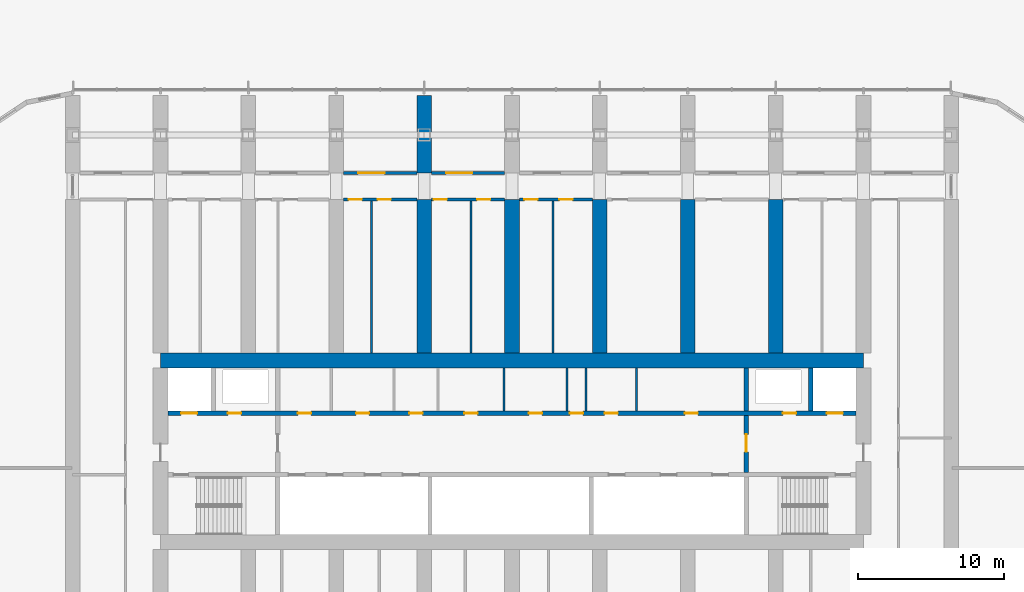
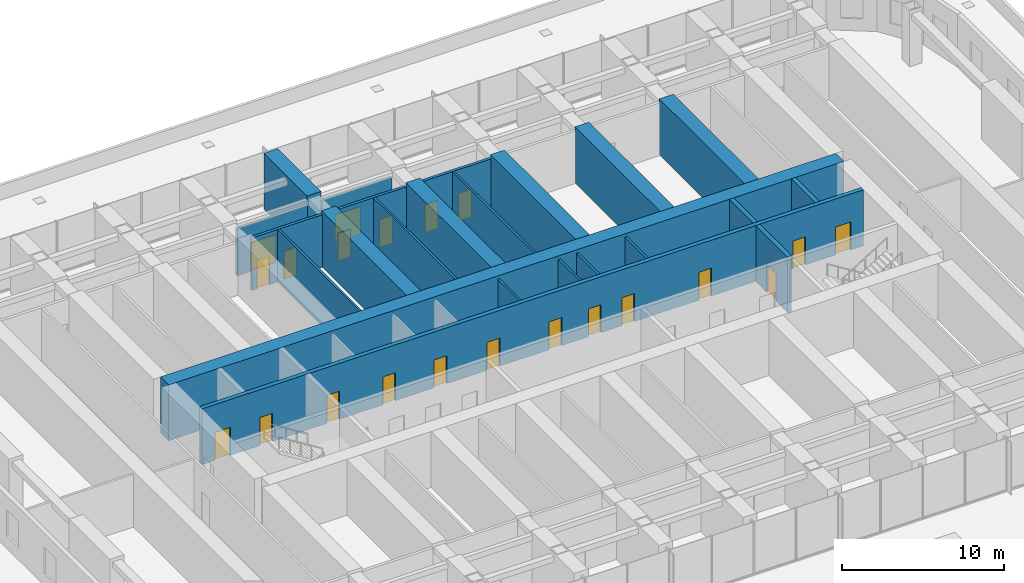
# One storey, part 14 of 23: 23 walls, 21 doors, 21 openings.
"""IFC4 building model written with IfcOpenShell, lengths in metres."""

from ifc_helpers import new_model, si_unit, direction, frame, frame_2d, origin, place, context, subcontext, project, spatial, polyline, rectangle, outline, extrude, material, layer, layer_set, type_object, element, fill, save


model = new_model("IFC4")

# Units and contexts
model_context = context("Model", 3, precision=1e-05, world=origin(), true_north=direction((0.0, 1.0)))
body_context = subcontext(model_context, "Body", "Model", "MODEL_VIEW")
ifc_project = project(units=[si_unit("LENGTHUNIT", "METRE"), si_unit("AREAUNIT", "SQUARE_METRE"), si_unit("VOLUMEUNIT", "CUBIC_METRE"), si_unit("PLANEANGLEUNIT", "RADIAN"), si_unit("MASSUNIT", "GRAM", prefix="KILO")], contexts=[model_context])

# Site, building, storey
site_placement = place(None, origin())
site = spatial("IfcSite", under=ifc_project, at=site_placement, CompositionType="ELEMENT")
building_placement = place(site_placement, origin())
building = spatial("IfcBuilding", under=site, at=building_placement, Name="Orbita Commons", CompositionType="ELEMENT")
storey_placement = place(building_placement, frame((0.0, 0.0, 16.0)))
storey = spatial("IfcBuildingStorey", under=building, at=storey_placement, Name="L03", CompositionType="ELEMENT", Elevation=16.0)

# Wall, openings, doors
ifc_material_1 = material(Name="Concrete C50/60", Category="concrete")
ifc_layer_1 = layer(ifc_material_1, 0.300048828125)
ifc_layer_set_1 = layer_set([ifc_layer_1], Name="Concrete C50/60")
wall_type_1 = type_object("IfcWallType", Name="Core inner wall 300 C50/60", PredefinedType="SHEAR", material=ifc_layer_set_1)
wall_1_placement = place(storey_placement, frame((18.5, 34.60009765625, 0.0), z_axis=(0.0, 0.0, 1.0), x_axis=(1.0, 0.0, 0.0)))
wall_1 = element("IfcWall", 1, at=wall_1_placement, inside=storey, type_object=wall_type_1, Name="Lobby wall north L03", PredefinedType="SHEAR", context=body_context, shape_type="SweptSolid", body=[
    extrude(rectangle(XDim=47.0, YDim=0.300048828125, at=frame_2d((23.5, 0.0))), origin(), (0.0, 0.0, 1.0), 4.199951171875),
])
opening_1_placement = place(wall_1_placement, frame((0.89990234375, 0.0, 0.0)))
opening_1 = element("IfcOpeningElement", 2, at=opening_1_placement, cuts=wall_1, Name="Opening LD01", PredefinedType="OPENING", context=body_context, shape_type="SweptSolid", body=[
    extrude(rectangle(XDim=1.10009765625, YDim=2.10009765625, at=frame_2d((0.550048828125, 1.050048828125))), frame((0.0, 0.159912109375, 0.0), z_axis=(0.0, -1.0, 0.0), x_axis=(1.0, 0.0, 0.0)), (0.0, 0.0, 1.0), 0.320068359375),
])
opening_2_placement = place(wall_1_placement, frame((45.0, 0.0, 0.0)))
opening_2 = element("IfcOpeningElement", 3, at=opening_2_placement, cuts=wall_1, Name="Opening LD01", PredefinedType="OPENING", context=body_context, shape_type="SweptSolid", body=[
    extrude(rectangle(XDim=1.10009765625, YDim=2.10009765625, at=frame_2d((0.550048828125, 1.050048828125))), frame((0.0, 0.159912109375, 0.0), z_axis=(0.0, -1.0, 0.0), x_axis=(1.0, 0.0, 0.0)), (0.0, 0.0, 1.0), 0.320068359375),
])
opening_3_placement = place(wall_1_placement, frame((4.10009765625, 0.0, 0.0)))
opening_3 = element("IfcOpeningElement", 4, at=opening_3_placement, cuts=wall_1, Name="Opening D03", PredefinedType="OPENING", context=body_context, shape_type="SweptSolid", body=[
    extrude(rectangle(XDim=0.89990234375, YDim=2.10009765625, at=frame_2d((0.449951171875, 1.050048828125))), frame((0.0, 0.159912109375, 0.0), z_axis=(0.0, -1.0, 0.0), x_axis=(1.0, 0.0, 0.0)), (0.0, 0.0, 1.0), 0.320068359375),
])
opening_4_placement = place(wall_1_placement, frame((42.0, 0.0, 0.0)))
opening_4 = element("IfcOpeningElement", 5, at=opening_4_placement, cuts=wall_1, Name="Opening D03", PredefinedType="OPENING", context=body_context, shape_type="SweptSolid", body=[
    extrude(rectangle(XDim=0.89990234375, YDim=2.10009765625, at=frame_2d((0.449951171875, 1.050048828125))), frame((0.0, 0.159912109375, 0.0), z_axis=(0.0, -1.0, 0.0), x_axis=(1.0, 0.0, 0.0)), (0.0, 0.0, 1.0), 0.320068359375),
])
opening_5_placement = place(wall_1_placement, frame((8.87548828125, 0.0, 0.0)))
opening_5 = element("IfcOpeningElement", 6, at=opening_5_placement, cuts=wall_1, Name="Opening D05", PredefinedType="OPENING", context=body_context, shape_type="SweptSolid", body=[
    extrude(rectangle(XDim=0.89990234375, YDim=2.10009765625, at=frame_2d((0.449951171875, 1.050048828125))), frame((0.0, 0.159912109375, 0.0), z_axis=(0.0, -1.0, 0.0), x_axis=(1.0, 0.0, 0.0)), (0.0, 0.0, 1.0), 0.320068359375),
])
opening_6_placement = place(wall_1_placement, frame((12.8486328125, 0.0, 0.0)))
opening_6 = element("IfcOpeningElement", 7, at=opening_6_placement, cuts=wall_1, Name="Opening D03", PredefinedType="OPENING", context=body_context, shape_type="SweptSolid", body=[
    extrude(rectangle(XDim=0.89990234375, YDim=2.10009765625, at=frame_2d((0.449951171875, 1.050048828125))), frame((0.0, 0.159912109375, 0.0), z_axis=(0.0, -1.0, 0.0), x_axis=(1.0, 0.0, 0.0)), (0.0, 0.0, 1.0), 0.320068359375),
])
opening_7_placement = place(wall_1_placement, frame((16.496337890625, 0.0, 0.0)))
opening_7 = element("IfcOpeningElement", 8, at=opening_7_placement, cuts=wall_1, Name="Opening D03", PredefinedType="OPENING", context=body_context, shape_type="SweptSolid", body=[
    extrude(rectangle(XDim=0.89990234375, YDim=2.10009765625, at=frame_2d((0.449951171875, 1.050048828125))), frame((0.0, 0.159912109375, 0.0), z_axis=(0.0, -1.0, 0.0), x_axis=(1.0, 0.0, 0.0)), (0.0, 0.0, 1.0), 0.320068359375),
])
opening_8_placement = place(wall_1_placement, frame((20.254638671875, 0.0, 0.0)))
opening_8 = element("IfcOpeningElement", 9, at=opening_8_placement, cuts=wall_1, Name="Opening D05", PredefinedType="OPENING", context=body_context, shape_type="SweptSolid", body=[
    extrude(rectangle(XDim=0.89990234375, YDim=2.10009765625, at=frame_2d((0.449951171875, 1.050048828125))), frame((0.0, 0.159912109375, 0.0), z_axis=(0.0, -1.0, 0.0), x_axis=(1.0, 0.0, 0.0)), (0.0, 0.0, 1.0), 0.320068359375),
])
opening_9_placement = place(wall_1_placement, frame((24.66064453125, 0.0, 0.0)))
opening_9 = element("IfcOpeningElement", 10, at=opening_9_placement, cuts=wall_1, Name="Opening D03", PredefinedType="OPENING", context=body_context, shape_type="SweptSolid", body=[
    extrude(rectangle(XDim=0.89990234375, YDim=2.10009765625, at=frame_2d((0.449951171875, 1.050048828125))), frame((0.0, 0.159912109375, 0.0), z_axis=(0.0, -1.0, 0.0), x_axis=(1.0, 0.0, 0.0)), (0.0, 0.0, 1.0), 0.320068359375),
])
opening_10_placement = place(wall_1_placement, frame((27.45849609375, 0.0, 0.0)))
opening_10 = element("IfcOpeningElement", 11, at=opening_10_placement, cuts=wall_1, Name="Opening D03", PredefinedType="OPENING", context=body_context, shape_type="SweptSolid", body=[
    extrude(rectangle(XDim=0.89990234375, YDim=2.10009765625, at=frame_2d((0.449951171875, 1.050048828125))), frame((0.0, 0.159912109375, 0.0), z_axis=(0.0, -1.0, 0.0), x_axis=(1.0, 0.0, 0.0)), (0.0, 0.0, 1.0), 0.320068359375),
])
opening_11_placement = place(wall_1_placement, frame((29.830810546875, 0.0, 0.0)))
opening_11 = element("IfcOpeningElement", 12, at=opening_11_placement, cuts=wall_1, Name="Opening D05", PredefinedType="OPENING", context=body_context, shape_type="SweptSolid", body=[
    extrude(rectangle(XDim=0.89990234375, YDim=2.10009765625, at=frame_2d((0.449951171875, 1.050048828125))), frame((0.0, 0.159912109375, 0.0), z_axis=(0.0, -1.0, 0.0), x_axis=(1.0, 0.0, 0.0)), (0.0, 0.0, 1.0), 0.320068359375),
])
opening_12_placement = place(wall_1_placement, frame((35.301513671875, 0.0, 0.0)))
opening_12 = element("IfcOpeningElement", 13, at=opening_12_placement, cuts=wall_1, Name="Opening D03", PredefinedType="OPENING", context=body_context, shape_type="SweptSolid", body=[
    extrude(rectangle(XDim=0.89990234375, YDim=2.10009765625, at=frame_2d((0.449951171875, 1.050048828125))), frame((0.0, 0.159912109375, 0.0), z_axis=(0.0, -1.0, 0.0), x_axis=(1.0, 0.0, 0.0)), (0.0, 0.0, 1.0), 0.320068359375),
])
ifc_material_2 = material(Name="Steel-faced fire door leaf", Category="steel")
door_type_1 = type_object("IfcDoorType", Name="Firefighting lift landing door 1100x2100", OperationType="DOUBLE_DOOR_SLIDING", PredefinedType="DOOR", material=ifc_material_2)
door_1_placement = place(opening_1_placement, origin())
door_1 = element("IfcDoor", 14, at=door_1_placement, inside=storey, type_object=door_type_1, Name="Firefighting lift FL1 landing door", OperationType="DOUBLE_DOOR_SLIDING", OverallHeight=2.10009765625, OverallWidth=1.10009765625, PredefinedType="DOOR", context=body_context, shape_type="SweptSolid", body=[
    extrude(rectangle(XDim=1.10009765625, YDim=2.10009765625, at=frame_2d((0.550048828125, 1.050048828125))), frame((0.0, 0.02490234375, 0.0), z_axis=(0.0, -1.0, 0.0), x_axis=(1.0, 0.0, 0.0)), (0.0, 0.0, 1.0), 0.050048828125),
])
fill(opening_1, door_1)
door_2_placement = place(opening_2_placement, origin())
door_2 = element("IfcDoor", 15, at=door_2_placement, inside=storey, type_object=door_type_1, Name="Firefighting lift FL2 landing door", OperationType="DOUBLE_DOOR_SLIDING", OverallHeight=2.10009765625, OverallWidth=1.10009765625, PredefinedType="DOOR", context=body_context, shape_type="SweptSolid", body=[
    extrude(rectangle(XDim=1.10009765625, YDim=2.10009765625, at=frame_2d((0.550048828125, 1.050048828125))), frame((0.0, 0.02490234375, 0.0), z_axis=(0.0, -1.0, 0.0), x_axis=(1.0, 0.0, 0.0)), (0.0, 0.0, 1.0), 0.050048828125),
])
fill(opening_2, door_2)
ifc_material_3 = material(Name="Steel-faced fire door leaf", Category="steel")
door_type_2 = type_object("IfcDoorType", Name="Service door 20 min 900x2100", OperationType="SINGLE_SWING_LEFT", PredefinedType="DOOR", material=ifc_material_3)
door_3_placement = place(opening_5_placement, origin())
door_3 = element("IfcDoor", 16, at=door_3_placement, inside=storey, type_object=door_type_2, Name="Staff WC door", OperationType="SINGLE_SWING_LEFT", OverallHeight=2.10009765625, OverallWidth=0.89990234375, PredefinedType="DOOR", context=body_context, shape_type="SweptSolid", body=[
    extrude(rectangle(XDim=0.89990234375, YDim=2.10009765625, at=frame_2d((0.449951171875, 1.050048828125))), frame((0.0, 0.02490234375, 0.0), z_axis=(0.0, -1.0, 0.0), x_axis=(1.0, 0.0, 0.0)), (0.0, 0.0, 1.0), 0.050048828125),
])
fill(opening_5, door_3)
door_4_placement = place(opening_8_placement, origin())
door_4 = element("IfcDoor", 17, at=door_4_placement, inside=storey, type_object=door_type_2, Name="Vending and ice room door", OperationType="SINGLE_SWING_LEFT", OverallHeight=2.10009765625, OverallWidth=0.89990234375, PredefinedType="DOOR", context=body_context, shape_type="SweptSolid", body=[
    extrude(rectangle(XDim=0.89990234375, YDim=2.10009765625, at=frame_2d((0.449951171875, 1.050048828125))), frame((0.0, 0.02490234375, 0.0), z_axis=(0.0, -1.0, 0.0), x_axis=(1.0, 0.0, 0.0)), (0.0, 0.0, 1.0), 0.050048828125),
])
fill(opening_8, door_4)
door_5_placement = place(opening_11_placement, origin())
door_5 = element("IfcDoor", 18, at=door_5_placement, inside=storey, type_object=door_type_2, Name="Accessible WC door", OperationType="SINGLE_SWING_LEFT", OverallHeight=2.10009765625, OverallWidth=0.89990234375, PredefinedType="DOOR", context=body_context, shape_type="SweptSolid", body=[
    extrude(rectangle(XDim=0.89990234375, YDim=2.10009765625, at=frame_2d((0.449951171875, 1.050048828125))), frame((0.0, 0.02490234375, 0.0), z_axis=(0.0, -1.0, 0.0), x_axis=(1.0, 0.0, 0.0)), (0.0, 0.0, 1.0), 0.050048828125),
])
fill(opening_11, door_5)
ifc_material_4 = material(Name="Steel-faced fire door leaf", Category="steel")
door_type_3 = type_object("IfcDoorType", Name="Shaft access door 90 min 900x2100", OperationType="SINGLE_SWING_LEFT", PredefinedType="DOOR", material=ifc_material_4)
door_6_placement = place(opening_3_placement, origin())
door_6 = element("IfcDoor", 19, at=door_6_placement, inside=storey, type_object=door_type_3, Name="Riser door west", OperationType="SINGLE_SWING_LEFT", OverallHeight=2.10009765625, OverallWidth=0.89990234375, PredefinedType="DOOR", context=body_context, shape_type="SweptSolid", body=[
    extrude(rectangle(XDim=0.89990234375, YDim=2.10009765625, at=frame_2d((0.449951171875, 1.050048828125))), frame((0.0, 0.02490234375, 0.0), z_axis=(0.0, -1.0, 0.0), x_axis=(1.0, 0.0, 0.0)), (0.0, 0.0, 1.0), 0.050048828125),
])
fill(opening_3, door_6)
door_7_placement = place(opening_4_placement, origin())
door_7 = element("IfcDoor", 20, at=door_7_placement, inside=storey, type_object=door_type_3, Name="Riser door east", OperationType="SINGLE_SWING_LEFT", OverallHeight=2.10009765625, OverallWidth=0.89990234375, PredefinedType="DOOR", context=body_context, shape_type="SweptSolid", body=[
    extrude(rectangle(XDim=0.89990234375, YDim=2.10009765625, at=frame_2d((0.449951171875, 1.050048828125))), frame((0.0, 0.02490234375, 0.0), z_axis=(0.0, -1.0, 0.0), x_axis=(1.0, 0.0, 0.0)), (0.0, 0.0, 1.0), 0.050048828125),
])
fill(opening_4, door_7)
door_8_placement = place(opening_6_placement, origin())
door_8 = element("IfcDoor", 21, at=door_8_placement, inside=storey, type_object=door_type_3, Name="Refuse chute room door", OperationType="SINGLE_SWING_LEFT", OverallHeight=2.10009765625, OverallWidth=0.89990234375, PredefinedType="DOOR", context=body_context, shape_type="SweptSolid", body=[
    extrude(rectangle(XDim=0.89990234375, YDim=2.10009765625, at=frame_2d((0.449951171875, 1.050048828125))), frame((0.0, 0.02490234375, 0.0), z_axis=(0.0, -1.0, 0.0), x_axis=(1.0, 0.0, 0.0)), (0.0, 0.0, 1.0), 0.050048828125),
])
fill(opening_6, door_8)
door_9_placement = place(opening_7_placement, origin())
door_9 = element("IfcDoor", 22, at=door_9_placement, inside=storey, type_object=door_type_3, Name="Electrical riser room door", OperationType="SINGLE_SWING_LEFT", OverallHeight=2.10009765625, OverallWidth=0.89990234375, PredefinedType="DOOR", context=body_context, shape_type="SweptSolid", body=[
    extrude(rectangle(XDim=0.89990234375, YDim=2.10009765625, at=frame_2d((0.449951171875, 1.050048828125))), frame((0.0, 0.02490234375, 0.0), z_axis=(0.0, -1.0, 0.0), x_axis=(1.0, 0.0, 0.0)), (0.0, 0.0, 1.0), 0.050048828125),
])
fill(opening_7, door_9)
door_10_placement = place(opening_9_placement, origin())
door_10 = element("IfcDoor", 23, at=door_10_placement, inside=storey, type_object=door_type_3, Name="Communications room door", OperationType="SINGLE_SWING_LEFT", OverallHeight=2.10009765625, OverallWidth=0.89990234375, PredefinedType="DOOR", context=body_context, shape_type="SweptSolid", body=[
    extrude(rectangle(XDim=0.89990234375, YDim=2.10009765625, at=frame_2d((0.449951171875, 1.050048828125))), frame((0.0, 0.02490234375, 0.0), z_axis=(0.0, -1.0, 0.0), x_axis=(1.0, 0.0, 0.0)), (0.0, 0.0, 1.0), 0.050048828125),
])
fill(opening_9, door_10)
door_11_placement = place(opening_10_placement, origin())
door_11 = element("IfcDoor", 24, at=door_11_placement, inside=storey, type_object=door_type_3, Name="Stair pressurisation duct door", OperationType="SINGLE_SWING_LEFT", OverallHeight=2.10009765625, OverallWidth=0.89990234375, PredefinedType="DOOR", context=body_context, shape_type="SweptSolid", body=[
    extrude(rectangle(XDim=0.89990234375, YDim=2.10009765625, at=frame_2d((0.449951171875, 1.050048828125))), frame((0.0, 0.02490234375, 0.0), z_axis=(0.0, -1.0, 0.0), x_axis=(1.0, 0.0, 0.0)), (0.0, 0.0, 1.0), 0.050048828125),
])
fill(opening_10, door_11)
door_12_placement = place(opening_12_placement, origin())
door_12 = element("IfcDoor", 25, at=door_12_placement, inside=storey, type_object=door_type_3, Name="Linen and housekeeping store door", OperationType="SINGLE_SWING_LEFT", OverallHeight=2.10009765625, OverallWidth=0.89990234375, PredefinedType="DOOR", context=body_context, shape_type="SweptSolid", body=[
    extrude(rectangle(XDim=0.89990234375, YDim=2.10009765625, at=frame_2d((0.449951171875, 1.050048828125))), frame((0.0, 0.02490234375, 0.0), z_axis=(0.0, -1.0, 0.0), x_axis=(1.0, 0.0, 0.0)), (0.0, 0.0, 1.0), 0.050048828125),
])
fill(opening_12, door_12)

# Wall, opening, door
wall_2_placement = place(storey_placement, frame((58.0, 30.550048828125, 0.0), z_axis=(0.0, 0.0, 1.0), x_axis=(0.0, 1.0, 0.0)))
wall_2 = element("IfcWall", 26, at=wall_2_placement, inside=storey, type_object=wall_type_1, Name="Firefighting lobby wall east L03", PredefinedType="SHEAR", context=body_context, shape_type="SweptSolid", body=[
    extrude(rectangle(XDim=3.89990234375, YDim=0.300048828125, at=frame_2d((1.949951171875, 0.0))), origin(), (0.0, 0.0, 1.0), 4.199951171875),
])
opening_13_placement = place(wall_2_placement, frame((1.39990234375, 0.0, 0.0)))
opening_13 = element("IfcOpeningElement", 27, at=opening_13_placement, cuts=wall_2, Name="Opening D04", PredefinedType="OPENING", context=body_context, shape_type="SweptSolid", body=[
    extrude(rectangle(XDim=1.199951171875, YDim=2.10009765625, at=frame_2d((0.60009765625, 1.050048828125))), frame((0.0, 0.159912109375, 0.0), z_axis=(0.0, -1.0, 0.0), x_axis=(1.0, 0.0, 0.0)), (0.0, 0.0, 1.0), 0.320068359375),
])
ifc_material_5 = material(Name="Steel-faced fire door leaf", Category="steel")
door_type_4 = type_object("IfcDoorType", Name="Service door 20 min 1200x2100", OperationType="SINGLE_SWING_LEFT", PredefinedType="DOOR", material=ifc_material_5)
door_13_placement = place(opening_13_placement, origin())
door_13 = element("IfcDoor", 28, at=door_13_placement, inside=storey, type_object=door_type_4, Name="Lift lobby door east", OperationType="SINGLE_SWING_LEFT", OverallHeight=2.10009765625, OverallWidth=1.199951171875, PredefinedType="DOOR", context=body_context, shape_type="SweptSolid", body=[
    extrude(rectangle(XDim=1.199951171875, YDim=2.10009765625, at=frame_2d((0.60009765625, 1.050048828125))), frame((0.0, 0.02490234375, 0.0), z_axis=(0.0, -1.0, 0.0), x_axis=(1.0, 0.0, 0.0)), (0.0, 0.0, 1.0), 0.050048828125),
])
fill(opening_13, door_13)

# Walls
for number, where, z_axis, x_axis, name in (
    (29, (62.39990234375, 34.75, 0.0), (0.0, 0.0, 1.0), (0.0, 1.0, 0.0), "Firefighting lift FL2 shaft wall L03"),
    (30, (58.0, 34.75, 0.0), (0.0, 0.0, 1.0), (0.0, 1.0, 0.0), "Riser wall east L03"),
):
    element("IfcWall", number, at=place(storey_placement, frame(where, z_axis=z_axis, x_axis=x_axis)), inside=storey, type_object=wall_type_1, Name=name, PredefinedType="SHEAR", context=body_context, shape_type="SweptSolid", body=[
        extrude(rectangle(XDim=2.949951171875, YDim=0.300048828125, at=frame_2d((1.47509765625, 0.0))), origin(), (0.0, 0.0, 1.0), 4.199951171875),
    ])
ifc_material_6 = material(Name="Concrete blockwork", Category="masonry")
ifc_layer_2 = layer(ifc_material_6, 0.14990234375)
ifc_layer_set_2 = layer_set([ifc_layer_2], Name="Concrete blockwork")
wall_type_2 = type_object("IfcWallType", Name="Core partition 150 blockwork", PredefinedType="SOLIDWALL", material=ifc_layer_set_2)
for number, where, z_axis, x_axis, name in (
    (31, (41.463134765625, 34.75, 0.0), (0.0, 0.0, 1.0), (0.0, 1.0, 0.0), "Core partition 150 blockwork L03"),
    (32, (45.75830078125, 34.75, 0.0), (0.0, 0.0, 1.0), (0.0, 1.0, 0.0), "Core partition 150 blockwork L03"),
    (33, (47.058349609375, 34.75, 0.0), (0.0, 0.0, 1.0), (0.0, 1.0, 0.0), "Core partition 150 blockwork L03"),
    (34, (50.5029296875, 34.75, 0.0), (0.0, 0.0, 1.0), (0.0, 1.0, 0.0), "Core partition 150 blockwork L03"),
):
    element("IfcWall", number, at=place(storey_placement, frame(where, z_axis=z_axis, x_axis=x_axis)), inside=storey, type_object=wall_type_2, Name=name, PredefinedType="SOLIDWALL", context=body_context, shape_type="SweptSolid", body=[
        extrude(rectangle(XDim=2.949951171875, YDim=0.14990234375, at=frame_2d((1.47509765625, 0.0))), origin(), (0.0, 0.0, 1.0), 3.949951171875),
    ])
ifc_material_7 = material(Name="Concrete C50/60", Category="concrete")
ifc_layer_3 = layer(ifc_material_7, 1.0)
ifc_layer_set_3 = layer_set([ifc_layer_3], Name="Concrete C50/60")
wall_type_3 = type_object("IfcWallType", Name="Core wall 1000 C50/60", PredefinedType="SHEAR", material=ifc_layer_set_3)
wall_3_placement = place(storey_placement, frame((18.0, 38.199951171875, 0.0), z_axis=(0.0, 0.0, 1.0), x_axis=(1.0, 0.0, 0.0)))
element("IfcWall", 35, at=wall_3_placement, inside=storey, type_object=wall_type_3, Name="Core spine wall north L03", PredefinedType="SHEAR", context=body_context, shape_type="SweptSolid", body=[
    extrude(rectangle(XDim=48.0, YDim=1.0, at=frame_2d((24.0, 0.0))), origin(), (0.0, 0.0, 1.0), 4.199951171875),
])

# Wall, opening, door
ifc_material_8 = material(Name="Concrete blockwork", Category="masonry")
ifc_layer_4 = layer(ifc_material_8, 0.199951171875)
ifc_layer_set_4 = layer_set([ifc_layer_4], Name="Concrete blockwork")
wall_type_4 = type_object("IfcWallType", Name="Corridor wall 200 blockwork", PredefinedType="SOLIDWALL", material=ifc_layer_set_4)
wall_4_placement = place(storey_placement, frame((30.5, 51.0, 0.0), z_axis=(0.0, 0.0, 1.0), x_axis=(1.0, 0.0, 0.0)))
wall_4 = element("IfcWall", 36, at=wall_4_placement, inside=storey, type_object=wall_type_4, Name="Corridor wall 200 blockwork L03", PredefinedType="SOLIDWALL", context=body_context, shape_type="SweptSolid", body=[
    extrude(outline(polyline([(0.0, 0.0), (5.0, 0.0), (5.0, 3.550048828125), (0.0, 3.550048828125), (0.0, 0.0)])), frame((0.0, 0.10009765625, 0.0), z_axis=(0.0, -1.0, 0.0), x_axis=(1.0, 0.0, 0.0)), (0.0, 0.0, 1.0), 0.199951171875),
])
opening_14_placement = place(wall_4_placement, frame((1.0, 0.0, 0.0)))
opening_14 = element("IfcOpeningElement", 37, at=opening_14_placement, cuts=wall_4, Name="Opening D07", PredefinedType="OPENING", context=body_context, shape_type="SweptSolid", body=[
    extrude(rectangle(XDim=1.800048828125, YDim=2.10009765625, at=frame_2d((0.89990234375, 1.050048828125))), frame((0.0, 0.10986328125, 0.0), z_axis=(0.0, -1.0, 0.0), x_axis=(1.0, 0.0, 0.0)), (0.0, 0.0, 1.0), 0.219970703125),
])
ifc_material_9 = material(Name="Steel-faced fire door leaf", Category="steel")
door_type_5 = type_object("IfcDoorType", Name="Double corridor door 20 min 1800x2100", OperationType="DOUBLE_DOOR_SINGLE_SWING", PredefinedType="DOOR", material=ifc_material_9)
door_14_placement = place(opening_14_placement, origin())
door_14 = element("IfcDoor", 38, at=door_14_placement, inside=storey, type_object=door_type_5, Name="Craft studio L03-NF3 doors", OperationType="DOUBLE_DOOR_SINGLE_SWING", OverallHeight=2.10009765625, OverallWidth=1.800048828125, PredefinedType="DOOR", context=body_context, shape_type="SweptSolid", body=[
    extrude(rectangle(XDim=1.800048828125, YDim=2.10009765625, at=frame_2d((0.89990234375, 1.050048828125))), frame((0.0, 0.02490234375, 0.0), z_axis=(0.0, -1.0, 0.0), x_axis=(1.0, 0.0, 0.0)), (0.0, 0.0, 1.0), 0.050048828125),
])
fill(opening_14, door_14)

wall_5_placement = place(storey_placement, frame((36.5, 51.0, 0.0), z_axis=(0.0, 0.0, 1.0), x_axis=(1.0, 0.0, 0.0)))
wall_5 = element("IfcWall", 39, at=wall_5_placement, inside=storey, type_object=wall_type_4, Name="Corridor wall 200 blockwork L03", PredefinedType="SOLIDWALL", context=body_context, shape_type="SweptSolid", body=[
    extrude(outline(polyline([(0.0, 0.0), (5.0, 0.0), (5.0, 3.550048828125), (0.0, 3.550048828125), (0.0, 0.0)])), frame((0.0, 0.10009765625, 0.0), z_axis=(0.0, -1.0, 0.0), x_axis=(1.0, 0.0, 0.0)), (0.0, 0.0, 1.0), 0.199951171875),
])
opening_15_placement = place(wall_5_placement, frame((1.0, 0.0, 0.0)))
opening_15 = element("IfcOpeningElement", 40, at=opening_15_placement, cuts=wall_5, Name="Opening D07", PredefinedType="OPENING", context=body_context, shape_type="SweptSolid", body=[
    extrude(rectangle(XDim=1.800048828125, YDim=2.10009765625, at=frame_2d((0.89990234375, 1.050048828125))), frame((0.0, 0.10986328125, 0.0), z_axis=(0.0, -1.0, 0.0), x_axis=(1.0, 0.0, 0.0)), (0.0, 0.0, 1.0), 0.219970703125),
])
door_15_placement = place(opening_15_placement, origin())
door_15 = element("IfcDoor", 41, at=door_15_placement, inside=storey, type_object=door_type_5, Name="Project room L03-NF4 doors", OperationType="DOUBLE_DOOR_SINGLE_SWING", OverallHeight=2.10009765625, OverallWidth=1.800048828125, PredefinedType="DOOR", context=body_context, shape_type="SweptSolid", body=[
    extrude(rectangle(XDim=1.800048828125, YDim=2.10009765625, at=frame_2d((0.89990234375, 1.050048828125))), frame((0.0, 0.02490234375, 0.0), z_axis=(0.0, -1.0, 0.0), x_axis=(1.0, 0.0, 0.0)), (0.0, 0.0, 1.0), 0.050048828125),
])
fill(opening_15, door_15)

# Wall, openings, doors
ifc_material_10 = material(Name="Hollow concrete block 200", Category="concrete")
ifc_layer_5 = layer(ifc_material_10, 0.199951171875)
ifc_layer_set_5 = layer_set([ifc_layer_5], Name="Hollow concrete block 200")
wall_type_5 = type_object("IfcWallType", Name="Corridor wall 200 hollow concrete block", PredefinedType="SOLIDWALL", material=ifc_layer_set_5)
wall_6_placement = place(storey_placement, frame((30.5, 49.199951171875, 0.0), z_axis=(0.0, 0.0, 1.0), x_axis=(1.0, 0.0, 0.0)))
wall_6 = element("IfcWall", 42, at=wall_6_placement, inside=storey, type_object=wall_type_5, Name="Corridor wall 200 hollow concrete block L03", PredefinedType="SOLIDWALL", context=body_context, shape_type="SweptSolid", body=[
    extrude(rectangle(XDim=5.0, YDim=0.199951171875, at=frame_2d((2.5, 0.0))), origin(), (0.0, 0.0, 1.0), 3.949951171875),
])
opening_16_placement = place(wall_6_placement, frame((0.35009765625, 0.0, 0.0)))
opening_16 = element("IfcOpeningElement", 43, at=opening_16_placement, cuts=wall_6, Name="Opening D11", PredefinedType="OPENING", context=body_context, shape_type="SweptSolid", body=[
    extrude(rectangle(XDim=0.89990234375, YDim=2.10009765625, at=frame_2d((0.449951171875, 1.050048828125))), frame((0.0, 0.10986328125, 0.0), z_axis=(0.0, -1.0, 0.0), x_axis=(1.0, 0.0, 0.0)), (0.0, 0.0, 1.0), 0.219970703125),
])
opening_17_placement = place(wall_6_placement, frame((2.324951171875, 0.0, 0.0)))
opening_17 = element("IfcOpeningElement", 44, at=opening_17_placement, cuts=wall_6, Name="Opening D11", PredefinedType="OPENING", context=body_context, shape_type="SweptSolid", body=[
    extrude(rectangle(XDim=0.89990234375, YDim=2.10009765625, at=frame_2d((0.449951171875, 1.050048828125))), frame((0.0, 0.10986328125, 0.0), z_axis=(0.0, -1.0, 0.0), x_axis=(1.0, 0.0, 0.0)), (0.0, 0.0, 1.0), 0.219970703125),
])
ifc_material_11 = material(Name="Steel-faced fire door leaf", Category="steel")
door_type_6 = type_object("IfcDoorType", Name="Corridor door 20 min 900x2100", OperationType="SINGLE_SWING_LEFT", PredefinedType="DOOR", material=ifc_material_11)
door_16_placement = place(opening_16_placement, origin())
door_16 = element("IfcDoor", 45, at=door_16_placement, inside=storey, type_object=door_type_6, Name="Sprinkler valve room L03-BDN30n door", OperationType="SINGLE_SWING_LEFT", OverallHeight=2.10009765625, OverallWidth=0.89990234375, PredefinedType="DOOR", context=body_context, shape_type="SweptSolid", body=[
    extrude(rectangle(XDim=0.89990234375, YDim=2.10009765625, at=frame_2d((0.449951171875, 1.050048828125))), frame((0.0, 0.02490234375, 0.0), z_axis=(0.0, -1.0, 0.0), x_axis=(1.0, 0.0, 0.0)), (0.0, 0.0, 1.0), 0.050048828125),
])
fill(opening_16, door_16)
door_17_placement = place(opening_17_placement, origin())
door_17 = element("IfcDoor", 46, at=door_17_placement, inside=storey, type_object=door_type_6, Name="Fitness room L03-BDN30 door", OperationType="SINGLE_SWING_LEFT", OverallHeight=2.10009765625, OverallWidth=0.89990234375, PredefinedType="DOOR", context=body_context, shape_type="SweptSolid", body=[
    extrude(rectangle(XDim=0.89990234375, YDim=2.10009765625, at=frame_2d((0.449951171875, 1.050048828125))), frame((0.0, 0.02490234375, 0.0), z_axis=(0.0, -1.0, 0.0), x_axis=(1.0, 0.0, 0.0)), (0.0, 0.0, 1.0), 0.050048828125),
])
fill(opening_17, door_17)

wall_7_placement = place(storey_placement, frame((36.5, 49.199951171875, 0.0), z_axis=(0.0, 0.0, 1.0), x_axis=(1.0, 0.0, 0.0)))
wall_7 = element("IfcWall", 47, at=wall_7_placement, inside=storey, type_object=wall_type_5, Name="Corridor wall 200 hollow concrete block L03", PredefinedType="SOLIDWALL", context=body_context, shape_type="SweptSolid", body=[
    extrude(rectangle(XDim=5.0, YDim=0.199951171875, at=frame_2d((2.5, 0.0))), origin(), (0.0, 0.0, 1.0), 3.949951171875),
])
opening_18_placement = place(wall_7_placement, frame((0.14990234375, 0.0, 0.0)))
opening_18 = element("IfcOpeningElement", 48, at=opening_18_placement, cuts=wall_7, Name="Opening D11", PredefinedType="OPENING", context=body_context, shape_type="SweptSolid", body=[
    extrude(rectangle(XDim=0.89990234375, YDim=2.10009765625, at=frame_2d((0.449951171875, 1.050048828125))), frame((0.0, 0.10986328125, 0.0), z_axis=(0.0, -1.0, 0.0), x_axis=(1.0, 0.0, 0.0)), (0.0, 0.0, 1.0), 0.219970703125),
])
opening_19_placement = place(wall_7_placement, frame((3.125, 0.0, 0.0)))
opening_19 = element("IfcOpeningElement", 49, at=opening_19_placement, cuts=wall_7, Name="Opening D11", PredefinedType="OPENING", context=body_context, shape_type="SweptSolid", body=[
    extrude(rectangle(XDim=0.89990234375, YDim=2.10009765625, at=frame_2d((0.449951171875, 1.050048828125))), frame((0.0, 0.10986328125, 0.0), z_axis=(0.0, -1.0, 0.0), x_axis=(1.0, 0.0, 0.0)), (0.0, 0.0, 1.0), 0.219970703125),
])
door_18_placement = place(opening_18_placement, origin())
door_18 = element("IfcDoor", 50, at=door_18_placement, inside=storey, type_object=door_type_6, Name="Parcel room L03-BDN36 door", OperationType="SINGLE_SWING_LEFT", OverallHeight=2.10009765625, OverallWidth=0.89990234375, PredefinedType="DOOR", context=body_context, shape_type="SweptSolid", body=[
    extrude(rectangle(XDim=0.89990234375, YDim=2.10009765625, at=frame_2d((0.449951171875, 1.050048828125))), frame((0.0, 0.02490234375, 0.0), z_axis=(0.0, -1.0, 0.0), x_axis=(1.0, 0.0, 0.0)), (0.0, 0.0, 1.0), 0.050048828125),
])
fill(opening_18, door_18)
door_19_placement = place(opening_19_placement, origin())
door_19 = element("IfcDoor", 51, at=door_19_placement, inside=storey, type_object=door_type_6, Name="Water heater cupboard L03-BDN36n door", OperationType="SINGLE_SWING_LEFT", OverallHeight=2.10009765625, OverallWidth=0.89990234375, PredefinedType="DOOR", context=body_context, shape_type="SweptSolid", body=[
    extrude(rectangle(XDim=0.89990234375, YDim=2.10009765625, at=frame_2d((0.449951171875, 1.050048828125))), frame((0.0, 0.02490234375, 0.0), z_axis=(0.0, -1.0, 0.0), x_axis=(1.0, 0.0, 0.0)), (0.0, 0.0, 1.0), 0.050048828125),
])
fill(opening_19, door_19)

wall_8_placement = place(storey_placement, frame((42.5, 49.199951171875, 0.0), z_axis=(0.0, 0.0, 1.0), x_axis=(1.0, 0.0, 0.0)))
wall_8 = element("IfcWall", 52, at=wall_8_placement, inside=storey, type_object=wall_type_5, Name="Corridor wall 200 hollow concrete block L03", PredefinedType="SOLIDWALL", context=body_context, shape_type="SweptSolid", body=[
    extrude(rectangle(XDim=5.0, YDim=0.199951171875, at=frame_2d((2.5, 0.0))), origin(), (0.0, 0.0, 1.0), 3.949951171875),
])
opening_20_placement = place(wall_8_placement, frame((0.35009765625, 0.0, 0.0)))
opening_20 = element("IfcOpeningElement", 53, at=opening_20_placement, cuts=wall_8, Name="Opening D11", PredefinedType="OPENING", context=body_context, shape_type="SweptSolid", body=[
    extrude(rectangle(XDim=0.89990234375, YDim=2.10009765625, at=frame_2d((0.449951171875, 1.050048828125))), frame((0.0, 0.10986328125, 0.0), z_axis=(0.0, -1.0, 0.0), x_axis=(1.0, 0.0, 0.0)), (0.0, 0.0, 1.0), 0.219970703125),
])
opening_21_placement = place(wall_8_placement, frame((2.735107421875, 0.0, 0.0)))
opening_21 = element("IfcOpeningElement", 54, at=opening_21_placement, cuts=wall_8, Name="Opening D11", PredefinedType="OPENING", context=body_context, shape_type="SweptSolid", body=[
    extrude(rectangle(XDim=0.89990234375, YDim=2.10009765625, at=frame_2d((0.449951171875, 1.050048828125))), frame((0.0, 0.10986328125, 0.0), z_axis=(0.0, -1.0, 0.0), x_axis=(1.0, 0.0, 0.0)), (0.0, 0.0, 1.0), 0.219970703125),
])
door_20_placement = place(opening_20_placement, origin())
door_20 = element("IfcDoor", 55, at=door_20_placement, inside=storey, type_object=door_type_6, Name="Battery and UPS room L03-BDN42n door", OperationType="SINGLE_SWING_LEFT", OverallHeight=2.10009765625, OverallWidth=0.89990234375, PredefinedType="DOOR", context=body_context, shape_type="SweptSolid", body=[
    extrude(rectangle(XDim=0.89990234375, YDim=2.10009765625, at=frame_2d((0.449951171875, 1.050048828125))), frame((0.0, 0.02490234375, 0.0), z_axis=(0.0, -1.0, 0.0), x_axis=(1.0, 0.0, 0.0)), (0.0, 0.0, 1.0), 0.050048828125),
])
fill(opening_20, door_20)
door_21_placement = place(opening_21_placement, origin())
door_21 = element("IfcDoor", 56, at=door_21_placement, inside=storey, type_object=door_type_6, Name="Ventilation plant room L03-BDN42 door", OperationType="SINGLE_SWING_LEFT", OverallHeight=2.10009765625, OverallWidth=0.89990234375, PredefinedType="DOOR", context=body_context, shape_type="SweptSolid", body=[
    extrude(rectangle(XDim=0.89990234375, YDim=2.10009765625, at=frame_2d((0.449951171875, 1.050048828125))), frame((0.0, 0.02490234375, 0.0), z_axis=(0.0, -1.0, 0.0), x_axis=(1.0, 0.0, 0.0)), (0.0, 0.0, 1.0), 0.050048828125),
])
fill(opening_21, door_21)

# Walls
ifc_material_12 = material(Name="Concrete C50/60", Category="concrete")
ifc_layer_6 = layer(ifc_material_12, 1.0)
ifc_layer_set_6 = layer_set([ifc_layer_6], Name="Concrete C50/60")
wall_type_6 = type_object("IfcWallType", Name="Cross wall 1000 C50/60", PredefinedType="SHEAR", material=ifc_layer_set_6)
wall_9_placement = place(storey_placement, frame((36.0, 51.0, 0.0), z_axis=(0.0, 0.0, 1.0), x_axis=(0.0, 1.0, 0.0)))
element("IfcWall", 57, at=wall_9_placement, inside=storey, type_object=wall_type_6, Name="Cross wall 7 north outer L03", PredefinedType="SHEAR", context=body_context, shape_type="SweptSolid", body=[
    extrude(rectangle(XDim=5.300048828125, YDim=1.0, at=frame_2d((2.64990234375, 0.0))), origin(), (0.0, 0.0, 1.0), 4.199951171875),
])
for number, where, z_axis, x_axis, name in (
    (58, (36.0, 38.699951171875, 0.0), (0.0, 0.0, 1.0), (0.0, 1.0, 0.0), "Cross wall 7 north inner L03"),
    (59, (42.0, 38.699951171875, 0.0), (0.0, 0.0, 1.0), (0.0, 1.0, 0.0), "Cross wall 8 north inner L03"),
    (60, (48.0, 38.699951171875, 0.0), (0.0, 0.0, 1.0), (0.0, 1.0, 0.0), "Cross wall 9 north inner L03"),
    (61, (54.0, 38.699951171875, 0.0), (0.0, 0.0, 1.0), (0.0, 1.0, 0.0), "Cross wall 10 north inner L03"),
    (62, (60.0, 38.699951171875, 0.0), (0.0, 0.0, 1.0), (0.0, 1.0, 0.0), "Cross wall 11 north inner L03"),
):
    element("IfcWall", number, at=place(storey_placement, frame(where, z_axis=z_axis, x_axis=x_axis)), inside=storey, type_object=wall_type_6, Name=name, PredefinedType="SHEAR", context=body_context, shape_type="SweptSolid", body=[
        extrude(rectangle(XDim=10.5, YDim=1.0, at=frame_2d((5.25, 0.0))), origin(), (0.0, 0.0, 1.0), 4.199951171875),
    ])
ifc_material_13 = material(Name="Gypsum plasterboard on steel studs", Category="steel")
ifc_layer_7 = layer(ifc_material_13, 0.14990234375)
ifc_layer_set_7 = layer_set([ifc_layer_7], Name="Gypsum plasterboard on steel studs")
wall_type_7 = type_object("IfcWallType", Name="Partition 150 plasterboard", PredefinedType="PARTITIONING", material=ifc_layer_set_7)
for number, where, z_axis, x_axis, name in (
    (63, (32.39990234375, 38.699951171875, 0.0), (0.0, 0.0, 1.0), (0.0, 1.0, 0.0), "Partition 150 plasterboard L03"),
    (64, (39.199951171875, 38.699951171875, 0.0), (0.0, 0.0, 1.0), (0.0, 1.0, 0.0), "Partition 150 plasterboard L03"),
    (65, (44.81005859375, 38.699951171875, 0.0), (0.0, 0.0, 1.0), (0.0, 1.0, 0.0), "Partition 150 plasterboard L03"),
):
    element("IfcWall", number, at=place(storey_placement, frame(where, z_axis=z_axis, x_axis=x_axis)), inside=storey, type_object=wall_type_7, Name=name, PredefinedType="PARTITIONING", context=body_context, shape_type="SweptSolid", body=[
        extrude(rectangle(XDim=10.400146484375, YDim=0.14990234375, at=frame_2d((5.2001953125, 0.0))), origin(), (0.0, 0.0, 1.0), 3.949951171875),
    ])

save(model, "model.ifc")
